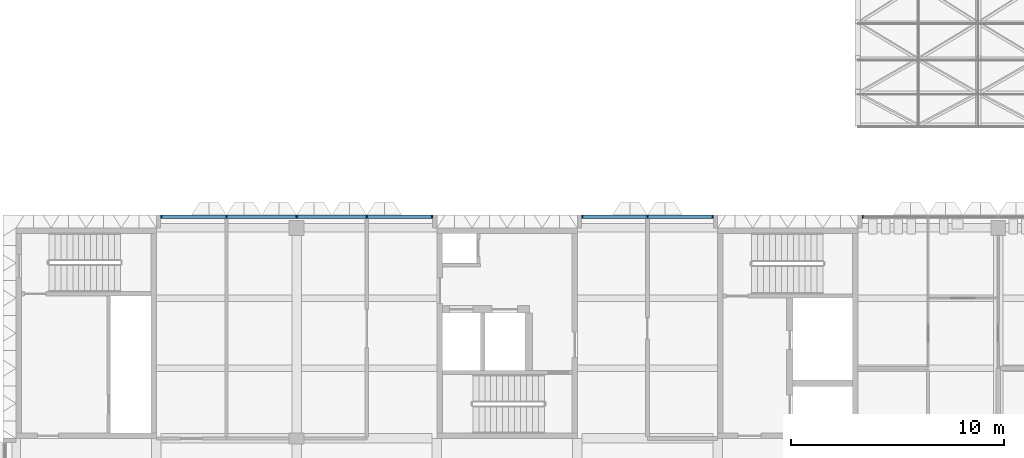
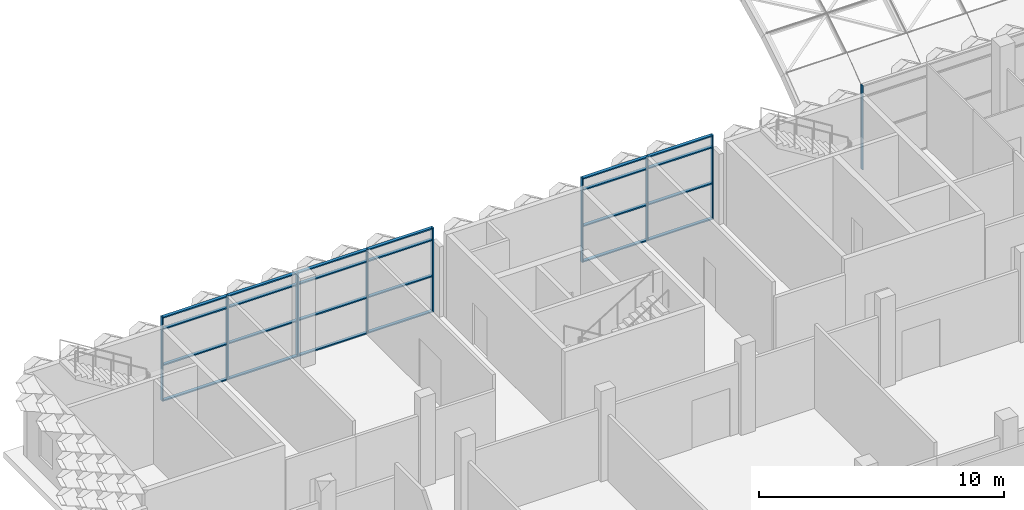
# One storey, part 9 of 85: 33 members, 3 elements without a shape of their own.
"""IFC4 building model written with IfcOpenShell, lengths in metres."""

import ifcopenshell
import ifcopenshell.guid

model = None  # the IFC model being written
_history = None  # IfcOwnerHistory: only IFC2X3 demands one
_inside = {}  # id of a spatial element -> (the spatial element, [elements in it])
_under = {}  # id of a project, library or spatial element -> (it, [spatial elements below it])
_declared = {}  # id of a project -> (the project, [libraries it declares])
_typed = {}  # id of a type object -> (the type object, [elements of that type])
_made_of = {}  # id of a material, layer set ... -> (it, [elements and type objects made of it])


def new_model(schema):
    """Start an empty IFC model of exactly this schema.

    Asked for "IFC4X3", IfcOpenShell would pick the latest addendum, in which some entities
    have other attributes; the version numbers below select the first issue.
    IFC2X3 requires an IfcOwnerHistory on every rooted entity: one is made here for all.
    """
    global model, _history
    if schema == "IFC4X3":
        model = ifcopenshell.file(schema_version=(4, 3, 0, 0))
    else:
        model = ifcopenshell.file(schema=schema)
    _inside.clear()
    _under.clear()
    _declared.clear()
    _typed.clear()
    _made_of.clear()
    _history = None
    if model.schema == "IFC2X3":
        org = make("IfcOrganization", Name="unknown")
        user = make(
            "IfcPersonAndOrganization",
            ThePerson=make("IfcPerson", FamilyName="unknown"),
            TheOrganization=org,
        )
        app = make(
            "IfcApplication",
            ApplicationDeveloper=org,
            Version="unknown",
            ApplicationFullName="unknown",
            ApplicationIdentifier="unknown",
        )
        _history = make(
            "IfcOwnerHistory",
            OwningUser=user,
            OwningApplication=app,
            ChangeAction="ADDED",
            CreationDate=0,
        )
    return model


def make(cls, **values):
    """One entity of the class cls with the attributes given. An attribute that is None is left unset."""
    return model.create_entity(
        cls, **{name: value for name, value in values.items() if value is not None}
    )


def rooted(cls, **values):
    """An entity with a GlobalId (a new one), such as an element, a storey or a relation."""
    return make(cls, GlobalId=ifcopenshell.guid.new(), OwnerHistory=_history, **values)


def si_unit(unit_type, name, prefix=None):
    """IfcSIUnit, for example si_unit("LENGTHUNIT", "METRE", prefix="MILLI")."""
    return make("IfcSIUnit", UnitType=unit_type, Prefix=prefix, Name=name)


def assignment(units):
    """IfcUnitAssignment: the units of a project."""
    return None if units is None else make("IfcUnitAssignment", Units=units)


def point(xyz):
    """IfcCartesianPoint."""
    return None if xyz is None else make("IfcCartesianPoint", Coordinates=xyz)


def direction(xyz):
    """IfcDirection."""
    return None if xyz is None else make("IfcDirection", DirectionRatios=xyz)


def frame(location, z_axis=None, x_axis=None):
    """IfcAxis2Placement3D, a coordinate frame: its origin and axes. An axis left out is left unset."""
    return make(
        "IfcAxis2Placement3D",
        Location=point(location),
        Axis=direction(z_axis),
        RefDirection=direction(x_axis),
    )


def frame_2d(location, x_axis=None):
    """IfcAxis2Placement2D, a coordinate frame in the plane: its origin and x axis."""
    return make(
        "IfcAxis2Placement2D", Location=point(location), RefDirection=direction(x_axis)
    )


def origin():
    """The frame at (0, 0, 0) with its axes left unset."""
    return frame((0.0, 0.0, 0.0))


def origin_2d():
    """The frame at (0, 0) in the plane with its x axis left unset."""
    return frame_2d((0.0, 0.0))


def place(relative_to, where):
    """IfcLocalPlacement: puts the frame where relative to a parent placement (None: the world)."""
    return make(
        "IfcLocalPlacement", PlacementRelTo=relative_to, RelativePlacement=where
    )


def context(
    kind, dimensions, precision=None, world=None, true_north=None, identifier=None
):
    """IfcGeometricRepresentationContext, for example the 3D "Model" context."""
    return make(
        "IfcGeometricRepresentationContext",
        ContextIdentifier=identifier,
        ContextType=kind,
        CoordinateSpaceDimension=dimensions,
        Precision=precision,
        WorldCoordinateSystem=world,
        TrueNorth=true_north,
    )


def subcontext(parent, identifier, kind, view, scale=None):
    """IfcGeometricRepresentationSubContext, for example "Body" below "Model"."""
    return make(
        "IfcGeometricRepresentationSubContext",
        ContextIdentifier=identifier,
        ContextType=kind,
        ParentContext=parent,
        TargetScale=scale,
        TargetView=view,
    )


def project(units=None, contexts=None):
    """IfcProject with its units and contexts."""
    return rooted(
        "IfcProject",
        Name="project",
        RepresentationContexts=contexts,
        UnitsInContext=assignment(units),
    )


def spatial(cls, under=None, at=None, **own):
    """A site, building, storey or space (cls), placed at a placement, below another one or the project."""
    s = rooted(cls, ObjectPlacement=at, **own)
    if under is not None:
        _under.setdefault(under.id(), (under, []))[1].append(s)
    return s


def profile(cls, at=None, kind="AREA", **sizes):
    """A parametric profile (cls). Its sizes go by their IFC names, for example OverallWidth=200.0."""
    return make(cls, ProfileType=kind, Position=at, **sizes)


def rectangle(**sizes):
    """IfcRectangleProfileDef."""
    return profile("IfcRectangleProfileDef", **sizes)


def extrude(swept, where, along, depth):
    """IfcExtrudedAreaSolid: the profile swept, set in the frame where, extruded along a direction by depth."""
    return make(
        "IfcExtrudedAreaSolid",
        SweptArea=swept,
        Position=where,
        ExtrudedDirection=direction(along),
        Depth=depth,
    )


def shape(context_of_items, identifier, shape_type, items):
    """IfcShapeRepresentation: the items that make up one representation, for example the "Body"."""
    return make(
        "IfcShapeRepresentation",
        ContextOfItems=context_of_items,
        RepresentationIdentifier=identifier,
        RepresentationType=shape_type,
        Items=items,
    )


def material(Name=None, Category=None):
    """IfcMaterial."""
    return make("IfcMaterial", Name=Name, Category=Category)


def material_profile(
    of_material, cross_section, Name=None, Category=None, Priority=None
):
    """IfcMaterialProfile: a cross section and its material."""
    return make(
        "IfcMaterialProfile",
        Name=Name,
        Material=of_material,
        Profile=cross_section,
        Priority=Priority,
        Category=Category,
    )


def profile_set(profiles, Name=None, composite=None):
    """IfcMaterialProfileSet."""
    return make(
        "IfcMaterialProfileSet",
        Name=Name,
        MaterialProfiles=profiles,
        CompositeProfile=composite,
    )


def made_of(thing, what):
    """Note that an element or type object is made of a material, layer set ...; save() writes the relation."""
    if what is not None:
        _made_of.setdefault(what.id(), (what, []))[1].append(thing)
    return thing


def type_object(cls, material=None, **own):
    """A type object (cls), such as IfcWallType, which elements share."""
    return made_of(rooted(cls, **own), material)


def element(
    cls,
    number,
    at=None,
    inside=None,
    cuts=None,
    type_object=None,
    material=None,
    context=None,
    identifier="Body",
    shape_type=None,
    held_by="IfcProductDefinitionShape",
    body=None,
    shapes=None,
    **own,
):
    """One element of the class cls, such as IfcWall. Its Tag is "e" and its number.

    at: its placement. inside: the storey or other place that contains it. cuts: it is an
    opening in that element (IfcRelVoidsElement). A single representation is given by context,
    identifier, shape_type and body (its items); several are given by shapes. held_by: the class
    of the entity that holds the representations. save() writes the other relations.
    """
    e = rooted(cls, Tag="e%d" % number, ObjectPlacement=at, **own)
    if body is not None:
        shapes = [shape(context, identifier, shape_type, body)]
    if shapes is not None:
        e.Representation = make(held_by, Representations=shapes)
    if inside is not None:
        _inside.setdefault(inside.id(), (inside, []))[1].append(e)
    if cuts is not None:
        rooted(
            "IfcRelVoidsElement", RelatingBuildingElement=cuts, RelatedOpeningElement=e
        )
    if type_object is not None:
        _typed.setdefault(type_object.id(), (type_object, []))[1].append(e)
    return made_of(e, material)


def aggregate(whole, parts):
    """IfcRelAggregates: a whole, such as a stair, and the parts it consists of."""
    return rooted("IfcRelAggregates", RelatingObject=whole, RelatedObjects=parts)


def save(model, path):
    """Write the relations noted so far, then the file.

    IfcRelAggregates (storeys below a building ...), IfcRelContainedInSpatialStructure (elements
    in a storey), IfcRelDefinesByType, IfcRelAssociatesMaterial and IfcRelDeclares: one each for
    every whole, place, type object, material and project.
    """
    for whole, parts in _under.values():
        aggregate(whole, parts)
    for where, things in _inside.values():
        rooted(
            "IfcRelContainedInSpatialStructure",
            RelatedElements=things,
            RelatingStructure=where,
        )
    for kind, things in _typed.values():
        rooted("IfcRelDefinesByType", RelatedObjects=things, RelatingType=kind)
    for what, things in _made_of.values():
        rooted("IfcRelAssociatesMaterial", RelatedObjects=things, RelatingMaterial=what)
    for by, libraries in _declared.values():
        rooted("IfcRelDeclares", RelatingContext=by, RelatedDefinitions=libraries)
    model.write(path)


model = new_model("IFC4")

# Units and contexts
model_context = context("Model", 3, precision=1e-05, world=origin(), true_north=direction((0.0, 1.0)))
body_context = subcontext(model_context, "Body", "Model", "MODEL_VIEW")
ifc_project = project(units=[si_unit("LENGTHUNIT", "METRE"), si_unit("AREAUNIT", "SQUARE_METRE"), si_unit("VOLUMEUNIT", "CUBIC_METRE"), si_unit("PLANEANGLEUNIT", "RADIAN"), si_unit("MASSUNIT", "GRAM", prefix="KILO")], contexts=[model_context])

# Site, building, storey
site_placement = place(None, origin())
site = spatial("IfcSite", under=ifc_project, at=site_placement, CompositionType="ELEMENT")
building_placement = place(site_placement, origin())
building = spatial("IfcBuilding", under=site, at=building_placement, Name="Lantern Court Research Institute", CompositionType="ELEMENT")
storey_placement = place(building_placement, frame((0.0, 0.0, 18.89990234375)))
storey = spatial("IfcBuildingStorey", under=building, at=storey_placement, Name="L04", CompositionType="ELEMENT", Elevation=18.89990234375)

# Curtain wall, members
ifc_material_1 = material(Name="Aluminium alloy 6063-T6", Category="aluminium")
curtain_wall_type_1 = type_object("IfcCurtainWallType", Name="Curtain wall 12800 x 4200 x 150 aluminium frame", PredefinedType="NOTDEFINED", material=ifc_material_1)
curtain_wall_1_placement = place(storey_placement, origin())
curtain_wall_1 = element("IfcCurtainWall", 1, at=curtain_wall_1_placement, inside=storey, type_object=curtain_wall_type_1, Name="Curtain wall CW060", PredefinedType="NOTDEFINED")
ifc_material_2 = material(Name="Aluminium alloy 6063-T6", Category="aluminium")
ifc_material_profile_1 = material_profile(ifc_material_2, rectangle(XDim=0.14990234375, YDim=0.06005859375, at=origin_2d()), Name="Mullion 150 x 60")
ifc_profile_set_1 = profile_set([ifc_material_profile_1], Name="Aluminium alloy 6063-T6")
member_type_1 = type_object("IfcMemberType", Name="Mullion 150 x 60 aluminium", PredefinedType="MULLION", material=ifc_profile_set_1)
member_1_placement = place(storey_placement, frame((6.830078125, 23.625, 0.0), z_axis=(0.0, 0.0, 1.0), x_axis=(0.0, 1.0, 0.0)))
member_1 = element("IfcMember", 2, at=member_1_placement, type_object=member_type_1, Name="CW060 mullion 1", PredefinedType="MULLION", context=body_context, shape_type="SweptSolid", body=[
    extrude(rectangle(XDim=0.14990234375, YDim=0.06005859375, at=origin_2d()), origin(), (0.0, 0.0, 1.0), 4.2001953125),
])
member_2_placement = place(storey_placement, frame((9.89990234375, 23.625, 0.0), z_axis=(0.0, 0.0, 1.0), x_axis=(0.0, 1.0, 0.0)))
member_2 = element("IfcMember", 3, at=member_2_placement, type_object=member_type_1, Name="CW060 mullion 2", PredefinedType="MULLION", context=body_context, shape_type="SweptSolid", body=[
    extrude(rectangle(XDim=0.14990234375, YDim=0.06005859375, at=origin_2d()), origin(), (0.0, 0.0, 1.0), 4.2001953125),
])
member_3_placement = place(storey_placement, frame((13.199951171875, 23.625, 0.0), z_axis=(0.0, 0.0, 1.0), x_axis=(0.0, 1.0, 0.0)))
member_3 = element("IfcMember", 4, at=member_3_placement, type_object=member_type_1, Name="CW060 mullion 3", PredefinedType="MULLION", context=body_context, shape_type="SweptSolid", body=[
    extrude(rectangle(XDim=0.14990234375, YDim=0.06005859375, at=origin_2d()), origin(), (0.0, 0.0, 1.0), 4.2001953125),
])
member_4_placement = place(storey_placement, frame((16.5, 23.625, 0.0), z_axis=(0.0, 0.0, 1.0), x_axis=(0.0, 1.0, 0.0)))
member_4 = element("IfcMember", 5, at=member_4_placement, type_object=member_type_1, Name="CW060 mullion 4", PredefinedType="MULLION", context=body_context, shape_type="SweptSolid", body=[
    extrude(rectangle(XDim=0.14990234375, YDim=0.06005859375, at=origin_2d()), origin(), (0.0, 0.0, 1.0), 4.2001953125),
])
member_5_placement = place(storey_placement, frame((19.570068359375, 23.625, 0.0), z_axis=(0.0, 0.0, 1.0), x_axis=(0.0, 1.0, 0.0)))
member_5 = element("IfcMember", 6, at=member_5_placement, type_object=member_type_1, Name="CW060 mullion 5", PredefinedType="MULLION", context=body_context, shape_type="SweptSolid", body=[
    extrude(rectangle(XDim=0.14990234375, YDim=0.06005859375, at=origin_2d()), origin(), (0.0, 0.0, 1.0), 4.2001953125),
])

ifc_material_3 = material(Name="Aluminium alloy 6063-T6", Category="aluminium")
curtain_wall_type_2 = type_object("IfcCurtainWallType", Name="Curtain wall 6200 x 4200 x 150 aluminium frame", PredefinedType="NOTDEFINED", material=ifc_material_3)
curtain_wall_2_placement = place(storey_placement, origin())
curtain_wall_2 = element("IfcCurtainWall", 7, at=curtain_wall_2_placement, inside=storey, type_object=curtain_wall_type_2, Name="Curtain wall CW061", PredefinedType="NOTDEFINED")
member_6_placement = place(storey_placement, frame((26.6298828125, 23.625, 0.0), z_axis=(0.0, 0.0, 1.0), x_axis=(0.0, 1.0, 0.0)))
member_6 = element("IfcMember", 8, at=member_6_placement, type_object=member_type_1, Name="CW061 mullion 1", PredefinedType="MULLION", context=body_context, shape_type="SweptSolid", body=[
    extrude(rectangle(XDim=0.14990234375, YDim=0.06005859375, at=origin_2d()), origin(), (0.0, 0.0, 1.0), 4.2001953125),
])
member_7_placement = place(storey_placement, frame((29.699951171875, 23.625, 0.0), z_axis=(0.0, 0.0, 1.0), x_axis=(0.0, 1.0, 0.0)))
member_7 = element("IfcMember", 9, at=member_7_placement, type_object=member_type_1, Name="CW061 mullion 2", PredefinedType="MULLION", context=body_context, shape_type="SweptSolid", body=[
    extrude(rectangle(XDim=0.14990234375, YDim=0.06005859375, at=origin_2d()), origin(), (0.0, 0.0, 1.0), 4.2001953125),
])
member_8_placement = place(storey_placement, frame((32.77001953125, 23.625, 0.0), z_axis=(0.0, 0.0, 1.0), x_axis=(0.0, 1.0, 0.0)))
member_8 = element("IfcMember", 10, at=member_8_placement, type_object=member_type_1, Name="CW061 mullion 3", PredefinedType="MULLION", context=body_context, shape_type="SweptSolid", body=[
    extrude(rectangle(XDim=0.14990234375, YDim=0.06005859375, at=origin_2d()), origin(), (0.0, 0.0, 1.0), 4.2001953125),
])

# Curtain wall, member
ifc_material_4 = material(Name="Aluminium alloy 6063-T6", Category="aluminium")
curtain_wall_type_3 = type_object("IfcCurtainWallType", Name="Curtain wall 13000 x 4200 x 150 aluminium frame", PredefinedType="NOTDEFINED", material=ifc_material_4)
curtain_wall_3_placement = place(storey_placement, origin())
curtain_wall_3 = element("IfcCurtainWall", 11, at=curtain_wall_3_placement, inside=storey, type_object=curtain_wall_type_3, Name="Curtain wall CW062", PredefinedType="NOTDEFINED")
member_9_placement = place(storey_placement, frame((39.830078125, 23.625, 0.0), z_axis=(0.0, 0.0, 1.0), x_axis=(0.0, 1.0, 0.0)))
member_9 = element("IfcMember", 12, at=member_9_placement, type_object=member_type_1, Name="CW062 mullion 1", PredefinedType="MULLION", context=body_context, shape_type="SweptSolid", body=[
    extrude(rectangle(XDim=0.14990234375, YDim=0.06005859375, at=origin_2d()), origin(), (0.0, 0.0, 1.0), 4.2001953125),
])
aggregate(curtain_wall_3, [member_9])

# Member
ifc_material_5 = material(Name="Aluminium alloy 6063-T6", Category="aluminium")
ifc_material_profile_2 = material_profile(ifc_material_5, rectangle(XDim=0.14990234375, YDim=0.06005859375, at=origin_2d()), Name="Transom 150 x 60")
ifc_profile_set_2 = profile_set([ifc_material_profile_2], Name="Aluminium alloy 6063-T6")
member_type_2 = type_object("IfcMemberType", Name="Transom 150 x 60 aluminium", PredefinedType="USERDEFINED", material=ifc_profile_set_2)
member_10_placement = place(storey_placement, frame((6.860107421875, 23.625, 0.030029296875), z_axis=(1.0, 0.0, 0.0), x_axis=(0.0, 1.0, 0.0)))
member_10 = element("IfcMember", 13, at=member_10_placement, type_object=member_type_2, Name="CW060 transom 1.1", ObjectType="TRANSOM", PredefinedType="USERDEFINED", context=body_context, shape_type="SweptSolid", body=[
    extrude(rectangle(XDim=0.14990234375, YDim=0.06005859375, at=origin_2d()), origin(), (0.0, 0.0, 1.0), 3.010009765625),
])

member_11_placement = place(storey_placement, frame((6.860107421875, 23.625, 1.800048828125), z_axis=(1.0, 0.0, 0.0), x_axis=(0.0, 1.0, 0.0)))
member_11 = element("IfcMember", 14, at=member_11_placement, type_object=member_type_2, Name="CW060 transom 1.2", ObjectType="TRANSOM", PredefinedType="USERDEFINED", context=body_context, shape_type="SweptSolid", body=[
    extrude(rectangle(XDim=0.14990234375, YDim=0.06005859375, at=origin_2d()), origin(), (0.0, 0.0, 1.0), 3.010009765625),
])

member_12_placement = place(storey_placement, frame((6.860107421875, 23.625, 3.60009765625), z_axis=(1.0, 0.0, 0.0), x_axis=(0.0, 1.0, 0.0)))
member_12 = element("IfcMember", 15, at=member_12_placement, type_object=member_type_2, Name="CW060 transom 1.3", ObjectType="TRANSOM", PredefinedType="USERDEFINED", context=body_context, shape_type="SweptSolid", body=[
    extrude(rectangle(XDim=0.14990234375, YDim=0.06005859375, at=origin_2d()), origin(), (0.0, 0.0, 1.0), 3.010009765625),
])

member_13_placement = place(storey_placement, frame((6.860107421875, 23.625, 4.170166015625), z_axis=(1.0, 0.0, 0.0), x_axis=(0.0, 1.0, 0.0)))
member_13 = element("IfcMember", 16, at=member_13_placement, type_object=member_type_2, Name="CW060 transom 1.4", ObjectType="TRANSOM", PredefinedType="USERDEFINED", context=body_context, shape_type="SweptSolid", body=[
    extrude(rectangle(XDim=0.14990234375, YDim=0.06005859375, at=origin_2d()), origin(), (0.0, 0.0, 1.0), 3.010009765625),
])

member_14_placement = place(storey_placement, frame((9.929931640625, 23.625, 0.030029296875), z_axis=(1.0, 0.0, 0.0), x_axis=(0.0, 1.0, 0.0)))
member_14 = element("IfcMember", 17, at=member_14_placement, type_object=member_type_2, Name="CW060 transom 2.1", ObjectType="TRANSOM", PredefinedType="USERDEFINED", context=body_context, shape_type="SweptSolid", body=[
    extrude(rectangle(XDim=0.14990234375, YDim=0.06005859375, at=origin_2d()), origin(), (0.0, 0.0, 1.0), 3.239990234375),
])

member_15_placement = place(storey_placement, frame((9.929931640625, 23.625, 1.800048828125), z_axis=(1.0, 0.0, 0.0), x_axis=(0.0, 1.0, 0.0)))
member_15 = element("IfcMember", 18, at=member_15_placement, type_object=member_type_2, Name="CW060 transom 2.2", ObjectType="TRANSOM", PredefinedType="USERDEFINED", context=body_context, shape_type="SweptSolid", body=[
    extrude(rectangle(XDim=0.14990234375, YDim=0.06005859375, at=origin_2d()), origin(), (0.0, 0.0, 1.0), 3.239990234375),
])

member_16_placement = place(storey_placement, frame((9.929931640625, 23.625, 3.60009765625), z_axis=(1.0, 0.0, 0.0), x_axis=(0.0, 1.0, 0.0)))
member_16 = element("IfcMember", 19, at=member_16_placement, type_object=member_type_2, Name="CW060 transom 2.3", ObjectType="TRANSOM", PredefinedType="USERDEFINED", context=body_context, shape_type="SweptSolid", body=[
    extrude(rectangle(XDim=0.14990234375, YDim=0.06005859375, at=origin_2d()), origin(), (0.0, 0.0, 1.0), 3.239990234375),
])

member_17_placement = place(storey_placement, frame((9.929931640625, 23.625, 4.170166015625), z_axis=(1.0, 0.0, 0.0), x_axis=(0.0, 1.0, 0.0)))
member_17 = element("IfcMember", 20, at=member_17_placement, type_object=member_type_2, Name="CW060 transom 2.4", ObjectType="TRANSOM", PredefinedType="USERDEFINED", context=body_context, shape_type="SweptSolid", body=[
    extrude(rectangle(XDim=0.14990234375, YDim=0.06005859375, at=origin_2d()), origin(), (0.0, 0.0, 1.0), 3.239990234375),
])

member_18_placement = place(storey_placement, frame((13.22998046875, 23.625, 0.030029296875), z_axis=(1.0, 0.0, 0.0), x_axis=(0.0, 1.0, 0.0)))
member_18 = element("IfcMember", 21, at=member_18_placement, type_object=member_type_2, Name="CW060 transom 3.1", ObjectType="TRANSOM", PredefinedType="USERDEFINED", context=body_context, shape_type="SweptSolid", body=[
    extrude(rectangle(XDim=0.14990234375, YDim=0.06005859375, at=origin_2d()), origin(), (0.0, 0.0, 1.0), 3.239990234375),
])

member_19_placement = place(storey_placement, frame((13.22998046875, 23.625, 1.800048828125), z_axis=(1.0, 0.0, 0.0), x_axis=(0.0, 1.0, 0.0)))
member_19 = element("IfcMember", 22, at=member_19_placement, type_object=member_type_2, Name="CW060 transom 3.2", ObjectType="TRANSOM", PredefinedType="USERDEFINED", context=body_context, shape_type="SweptSolid", body=[
    extrude(rectangle(XDim=0.14990234375, YDim=0.06005859375, at=origin_2d()), origin(), (0.0, 0.0, 1.0), 3.239990234375),
])

member_20_placement = place(storey_placement, frame((13.22998046875, 23.625, 3.60009765625), z_axis=(1.0, 0.0, 0.0), x_axis=(0.0, 1.0, 0.0)))
member_20 = element("IfcMember", 23, at=member_20_placement, type_object=member_type_2, Name="CW060 transom 3.3", ObjectType="TRANSOM", PredefinedType="USERDEFINED", context=body_context, shape_type="SweptSolid", body=[
    extrude(rectangle(XDim=0.14990234375, YDim=0.06005859375, at=origin_2d()), origin(), (0.0, 0.0, 1.0), 3.239990234375),
])

member_21_placement = place(storey_placement, frame((13.22998046875, 23.625, 4.170166015625), z_axis=(1.0, 0.0, 0.0), x_axis=(0.0, 1.0, 0.0)))
member_21 = element("IfcMember", 24, at=member_21_placement, type_object=member_type_2, Name="CW060 transom 3.4", ObjectType="TRANSOM", PredefinedType="USERDEFINED", context=body_context, shape_type="SweptSolid", body=[
    extrude(rectangle(XDim=0.14990234375, YDim=0.06005859375, at=origin_2d()), origin(), (0.0, 0.0, 1.0), 3.239990234375),
])

member_22_placement = place(storey_placement, frame((16.530029296875, 23.625, 0.030029296875), z_axis=(1.0, 0.0, 0.0), x_axis=(0.0, 1.0, 0.0)))
member_22 = element("IfcMember", 25, at=member_22_placement, type_object=member_type_2, Name="CW060 transom 4.1", ObjectType="TRANSOM", PredefinedType="USERDEFINED", context=body_context, shape_type="SweptSolid", body=[
    extrude(rectangle(XDim=0.14990234375, YDim=0.06005859375, at=origin_2d()), origin(), (0.0, 0.0, 1.0), 3.010009765625),
])

member_23_placement = place(storey_placement, frame((16.530029296875, 23.625, 1.800048828125), z_axis=(1.0, 0.0, 0.0), x_axis=(0.0, 1.0, 0.0)))
member_23 = element("IfcMember", 26, at=member_23_placement, type_object=member_type_2, Name="CW060 transom 4.2", ObjectType="TRANSOM", PredefinedType="USERDEFINED", context=body_context, shape_type="SweptSolid", body=[
    extrude(rectangle(XDim=0.14990234375, YDim=0.06005859375, at=origin_2d()), origin(), (0.0, 0.0, 1.0), 3.010009765625),
])

member_24_placement = place(storey_placement, frame((16.530029296875, 23.625, 3.60009765625), z_axis=(1.0, 0.0, 0.0), x_axis=(0.0, 1.0, 0.0)))
member_24 = element("IfcMember", 27, at=member_24_placement, type_object=member_type_2, Name="CW060 transom 4.3", ObjectType="TRANSOM", PredefinedType="USERDEFINED", context=body_context, shape_type="SweptSolid", body=[
    extrude(rectangle(XDim=0.14990234375, YDim=0.06005859375, at=origin_2d()), origin(), (0.0, 0.0, 1.0), 3.010009765625),
])

member_25_placement = place(storey_placement, frame((16.530029296875, 23.625, 4.170166015625), z_axis=(1.0, 0.0, 0.0), x_axis=(0.0, 1.0, 0.0)))
member_25 = element("IfcMember", 28, at=member_25_placement, type_object=member_type_2, Name="CW060 transom 4.4", ObjectType="TRANSOM", PredefinedType="USERDEFINED", context=body_context, shape_type="SweptSolid", body=[
    extrude(rectangle(XDim=0.14990234375, YDim=0.06005859375, at=origin_2d()), origin(), (0.0, 0.0, 1.0), 3.010009765625),
])

aggregate(curtain_wall_1, [member_1, member_2, member_3, member_4, member_5, member_10, member_11, member_12, member_13, member_14, member_15, member_16, member_17, member_18, member_19, member_20, member_21, member_22, member_23, member_24, member_25])

member_26_placement = place(storey_placement, frame((26.659912109375, 23.625, 0.030029296875), z_axis=(1.0, 0.0, 0.0), x_axis=(0.0, 1.0, 0.0)))
member_26 = element("IfcMember", 29, at=member_26_placement, type_object=member_type_2, Name="CW061 transom 1.1", ObjectType="TRANSOM", PredefinedType="USERDEFINED", context=body_context, shape_type="SweptSolid", body=[
    extrude(rectangle(XDim=0.14990234375, YDim=0.06005859375, at=origin_2d()), origin(), (0.0, 0.0, 1.0), 3.010009765625),
])

member_27_placement = place(storey_placement, frame((26.659912109375, 23.625, 1.800048828125), z_axis=(1.0, 0.0, 0.0), x_axis=(0.0, 1.0, 0.0)))
member_27 = element("IfcMember", 30, at=member_27_placement, type_object=member_type_2, Name="CW061 transom 1.2", ObjectType="TRANSOM", PredefinedType="USERDEFINED", context=body_context, shape_type="SweptSolid", body=[
    extrude(rectangle(XDim=0.14990234375, YDim=0.06005859375, at=origin_2d()), origin(), (0.0, 0.0, 1.0), 3.010009765625),
])

member_28_placement = place(storey_placement, frame((26.659912109375, 23.625, 3.60009765625), z_axis=(1.0, 0.0, 0.0), x_axis=(0.0, 1.0, 0.0)))
member_28 = element("IfcMember", 31, at=member_28_placement, type_object=member_type_2, Name="CW061 transom 1.3", ObjectType="TRANSOM", PredefinedType="USERDEFINED", context=body_context, shape_type="SweptSolid", body=[
    extrude(rectangle(XDim=0.14990234375, YDim=0.06005859375, at=origin_2d()), origin(), (0.0, 0.0, 1.0), 3.010009765625),
])

member_29_placement = place(storey_placement, frame((26.659912109375, 23.625, 4.170166015625), z_axis=(1.0, 0.0, 0.0), x_axis=(0.0, 1.0, 0.0)))
member_29 = element("IfcMember", 32, at=member_29_placement, type_object=member_type_2, Name="CW061 transom 1.4", ObjectType="TRANSOM", PredefinedType="USERDEFINED", context=body_context, shape_type="SweptSolid", body=[
    extrude(rectangle(XDim=0.14990234375, YDim=0.06005859375, at=origin_2d()), origin(), (0.0, 0.0, 1.0), 3.010009765625),
])

member_30_placement = place(storey_placement, frame((29.72998046875, 23.625, 0.030029296875), z_axis=(1.0, 0.0, 0.0), x_axis=(0.0, 1.0, 0.0)))
member_30 = element("IfcMember", 33, at=member_30_placement, type_object=member_type_2, Name="CW061 transom 2.1", ObjectType="TRANSOM", PredefinedType="USERDEFINED", context=body_context, shape_type="SweptSolid", body=[
    extrude(rectangle(XDim=0.14990234375, YDim=0.06005859375, at=origin_2d()), origin(), (0.0, 0.0, 1.0), 3.010009765625),
])

member_31_placement = place(storey_placement, frame((29.72998046875, 23.625, 1.800048828125), z_axis=(1.0, 0.0, 0.0), x_axis=(0.0, 1.0, 0.0)))
member_31 = element("IfcMember", 34, at=member_31_placement, type_object=member_type_2, Name="CW061 transom 2.2", ObjectType="TRANSOM", PredefinedType="USERDEFINED", context=body_context, shape_type="SweptSolid", body=[
    extrude(rectangle(XDim=0.14990234375, YDim=0.06005859375, at=origin_2d()), origin(), (0.0, 0.0, 1.0), 3.010009765625),
])

member_32_placement = place(storey_placement, frame((29.72998046875, 23.625, 3.60009765625), z_axis=(1.0, 0.0, 0.0), x_axis=(0.0, 1.0, 0.0)))
member_32 = element("IfcMember", 35, at=member_32_placement, type_object=member_type_2, Name="CW061 transom 2.3", ObjectType="TRANSOM", PredefinedType="USERDEFINED", context=body_context, shape_type="SweptSolid", body=[
    extrude(rectangle(XDim=0.14990234375, YDim=0.06005859375, at=origin_2d()), origin(), (0.0, 0.0, 1.0), 3.010009765625),
])

member_33_placement = place(storey_placement, frame((29.72998046875, 23.625, 4.170166015625), z_axis=(1.0, 0.0, 0.0), x_axis=(0.0, 1.0, 0.0)))
member_33 = element("IfcMember", 36, at=member_33_placement, type_object=member_type_2, Name="CW061 transom 2.4", ObjectType="TRANSOM", PredefinedType="USERDEFINED", context=body_context, shape_type="SweptSolid", body=[
    extrude(rectangle(XDim=0.14990234375, YDim=0.06005859375, at=origin_2d()), origin(), (0.0, 0.0, 1.0), 3.010009765625),
])

aggregate(curtain_wall_2, [member_6, member_7, member_8, member_26, member_27, member_28, member_29, member_30, member_31, member_32, member_33])

save(model, "model.ifc")
